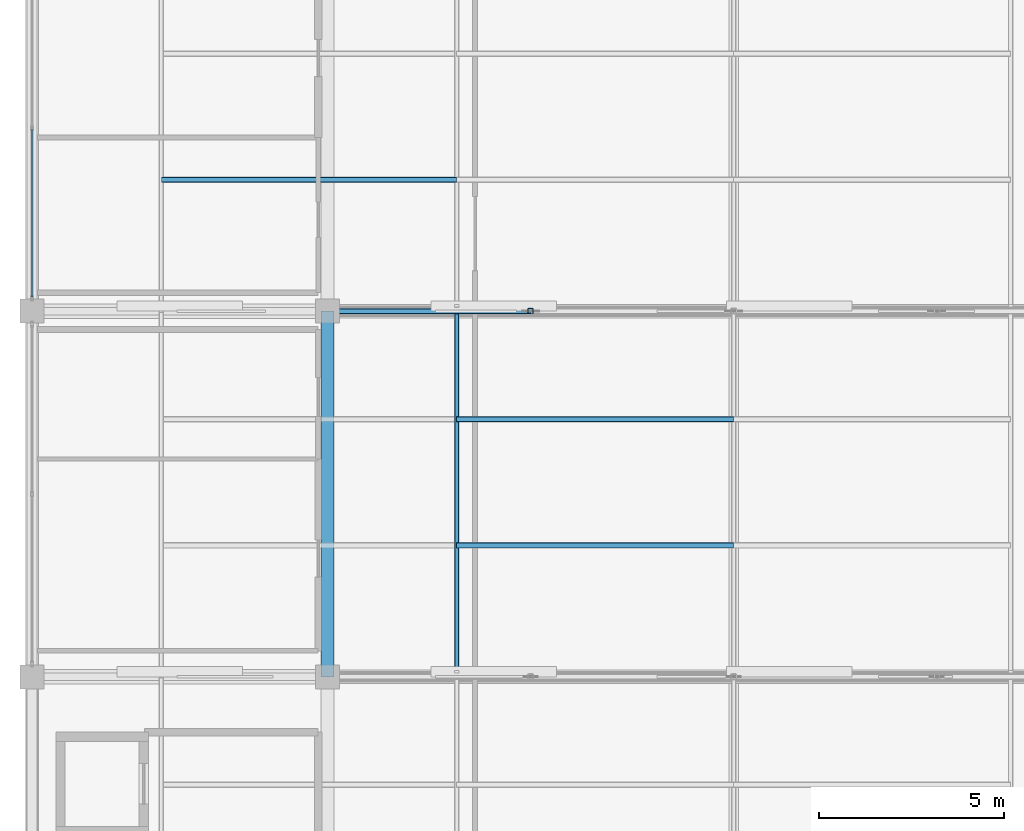
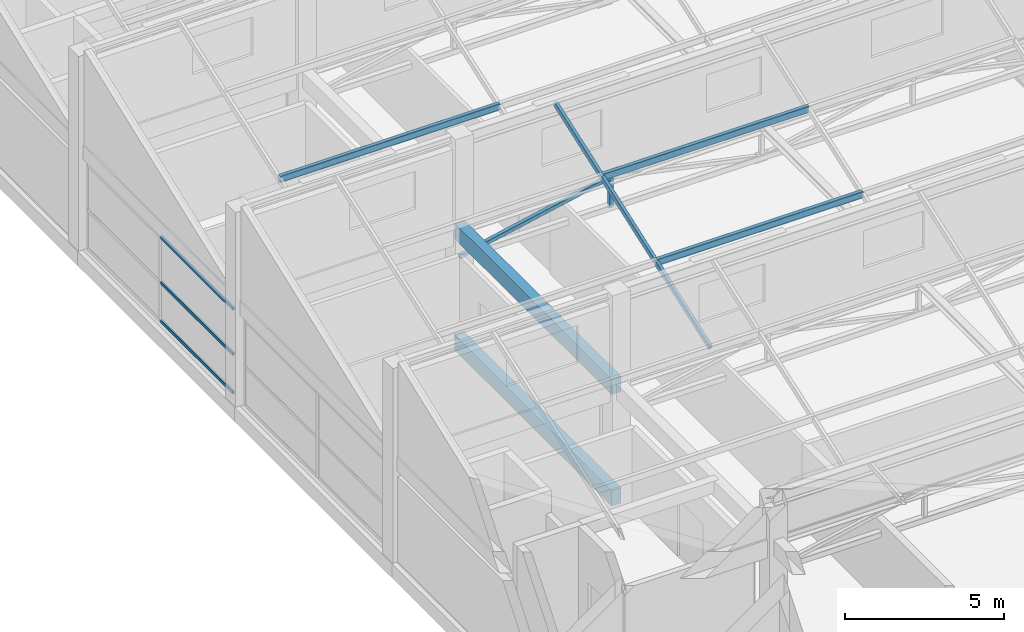
# One storey, part 10 of 35: 9 members, 2 beams, 1 element without a shape of its own.
"""IFC4 building model written with IfcOpenShell, lengths in metres."""

from ifc_helpers import new_model, si_unit, direction, frame, origin, origin_2d, place, context, subcontext, project, spatial, rectangle, hollow_rectangle, extrude, material, layer, layer_set, material_profile, profile_set, type_object, element, aggregate, save


model = new_model("IFC4")

# Units and contexts
model_context = context("Model", 3, precision=1e-05, world=origin(), true_north=direction((0.0, 1.0)))
body_context = subcontext(model_context, "Body", "Model", "MODEL_VIEW")
ifc_project = project(units=[si_unit("LENGTHUNIT", "METRE"), si_unit("AREAUNIT", "SQUARE_METRE"), si_unit("VOLUMEUNIT", "CUBIC_METRE"), si_unit("PLANEANGLEUNIT", "RADIAN"), si_unit("MASSUNIT", "GRAM", prefix="KILO")], contexts=[model_context])

# Site, building, storey
site_placement = place(None, origin())
site = spatial("IfcSite", under=ifc_project, at=site_placement, CompositionType="ELEMENT")
building_placement = place(site_placement, origin())
building = spatial("IfcBuilding", under=site, at=building_placement, Name="Sillaruma Civic Art Gallery", CompositionType="ELEMENT")
storey_placement = place(building_placement, frame((0.0, 0.0, 74.4599609375)))
storey = spatial("IfcBuildingStorey", under=building, at=storey_placement, Name="L15", CompositionType="ELEMENT", Elevation=74.4599609375)

# Beams
ifc_material_1 = material(Name="Concrete H35 (35 MPa)", Category="concrete")
ifc_material_profile_1 = material_profile(ifc_material_1, rectangle(XDim=0.35009765625, YDim=0.60009765625, at=origin_2d()), Name="RCB350x600")
ifc_profile_set_1 = profile_set([ifc_material_profile_1], Name="Concrete H35 (35 MPa)")
beam_type_1 = type_object("IfcBeamType", Name="BM-BEAM-RCB350x600", PredefinedType="BEAM", material=ifc_profile_set_1)
beam_1_placement = place(storey_placement, frame((70.0, 49.5, -0.550048828125), z_axis=(0.0, 1.0, 0.0), x_axis=(-1.0, 0.0, 0.0)))
element("IfcBeam", 1, at=beam_1_placement, inside=storey, type_object=beam_type_1, Name="Beam BM-06 (L14:G:6-7)", PredefinedType="BEAM", context=body_context, shape_type="SweptSolid", body=[
    extrude(rectangle(XDim=0.35009765625, YDim=0.60009765625, at=origin_2d()), origin(), (0.0, 0.0, 1.0), 9.89990234375),
])
ifc_material_profile_2 = material_profile(ifc_material_1, rectangle(XDim=0.35009765625, YDim=0.60009765625, at=origin_2d()), Name="RCB350x600")
ifc_profile_set_2 = profile_set([ifc_material_profile_2], Name="Concrete H35 (35 MPa)")
beam_type_2 = type_object("IfcBeamType", Name="BM-ROF-RCB350x600", PredefinedType="BEAM", material=ifc_profile_set_2)
beam_2_placement = place(storey_placement, frame((70.0, 49.5, 3.739990234375), z_axis=(0.0, 1.0, 0.0), x_axis=(-1.0, 0.0, 0.0)))
element("IfcBeam", 2, at=beam_2_placement, inside=storey, type_object=beam_type_2, Name="Beam BRF-06 (L15:G:6-7)", PredefinedType="BEAM", context=body_context, shape_type="SweptSolid", body=[
    extrude(rectangle(XDim=0.35009765625, YDim=0.60009765625, at=origin_2d()), origin(), (0.0, 0.0, 1.0), 9.89990234375),
])

# Members
ifc_material_2 = material(Name="Structural Steel ASTM A500 Gr.C", Category="steel")
ifc_material_profile_3 = material_profile(ifc_material_2, hollow_rectangle(XDim=0.14990234375, YDim=0.14990234375, WallThickness=0.010009765625, InnerFilletRadius=0.010009765625, OuterFilletRadius=0.02001953125, at=origin_2d()), Name="HSS150x150x10")
ifc_profile_set_3 = profile_set([ifc_material_profile_3], Name="Structural Steel ASTM A500 Gr.C")
member_type_1 = type_object("IfcMemberType", Name="MEM-BRACE-HSS150x150x10", PredefinedType="BRACE", material=ifc_profile_set_3)
member_1_placement = place(storey_placement, frame((70.0, 59.39990234375, 2.699951171875), z_axis=(0.978538722809, 0.0, 0.206063019398), x_axis=(0.0, 1.0, 0.0)))
element("IfcMember", 3, at=member_1_placement, inside=storey, type_object=member_type_1, Name="Warren Truss Diagonal TR-L15-3-D1", PredefinedType="BRACE", context=body_context, shape_type="SweptSolid", body=[
    extrude(hollow_rectangle(XDim=0.14990234375, YDim=0.14990234375, WallThickness=0.010009765625, InnerFilletRadius=0.010009765625, OuterFilletRadius=0.02001953125, at=origin_2d()), origin(), (0.0, 0.0, 1.0), 5.62060546875),
])
ifc_material_profile_4 = material_profile(ifc_material_2, hollow_rectangle(XDim=0.14990234375, YDim=0.14990234375, WallThickness=0.010009765625, InnerFilletRadius=0.010009765625, OuterFilletRadius=0.02001953125, at=origin_2d()), Name="HSS150x150x10")
ifc_profile_set_4 = profile_set([ifc_material_profile_4], Name="Structural Steel ASTM A500 Gr.C")
member_type_2 = type_object("IfcMemberType", Name="MEM-POST-HSS150x150x10", PredefinedType="POST", material=ifc_profile_set_4)
member_2_placement = place(storey_placement, frame((75.5, 59.39990234375, 2.699951171875), z_axis=(0.0, 0.0, 1.0), x_axis=(1.0, 0.0, 0.0)))
element("IfcMember", 4, at=member_2_placement, inside=storey, type_object=member_type_2, Name="Warren Truss Vertical Post TR-L15-3-V1", PredefinedType="POST", context=body_context, shape_type="SweptSolid", body=[
    extrude(hollow_rectangle(XDim=0.14990234375, YDim=0.14990234375, WallThickness=0.010009765625, InnerFilletRadius=0.010009765625, OuterFilletRadius=0.02001953125, at=origin_2d()), origin(), (0.0, 0.0, 1.0), 1.158203125),
])
ifc_material_profile_5 = material_profile(ifc_material_2, hollow_rectangle(XDim=0.14990234375, YDim=0.25, WallThickness=0.010009765625, InnerFilletRadius=0.010009765625, OuterFilletRadius=0.02001953125, at=origin_2d()), Name="HSS250x150x10")
ifc_profile_set_5 = profile_set([ifc_material_profile_5], Name="Structural Steel ASTM A500 Gr.C")
member_type_3 = type_object("IfcMemberType", Name="MEM-PUR-HSS250", PredefinedType="PURLIN", material=ifc_profile_set_5)
for number, where, z_axis, x_axis, name in (
    (5, (73.5, 53.055908203125, 5.111083984375), (1.0, 0.0, 0.0), (0.0, 1.0, 0.0), "Sawtooth Roof Steel Purlin (2.1.2)"),
    (6, (73.5, 56.471923828125, 6.322021484375), (1.0, 0.0, 0.0), (0.0, 1.0, 0.0), "Sawtooth Roof Steel Purlin (2.2.2)"),
):
    element("IfcMember", number, at=place(storey_placement, frame(where, z_axis=z_axis, x_axis=x_axis)), inside=storey, type_object=member_type_3, Name=name, PredefinedType="PURLIN", context=body_context, shape_type="SweptSolid", body=[
        extrude(hollow_rectangle(XDim=0.14990234375, YDim=0.25, WallThickness=0.010009765625, InnerFilletRadius=0.010009765625, OuterFilletRadius=0.02001953125, at=origin_2d()), origin(), (0.0, 0.0, 1.0), 7.5),
    ])
member_3_placement = place(storey_placement, frame((65.5, 62.9560546875, 5.111083984375), z_axis=(1.0, 0.0, 0.0), x_axis=(0.0, 1.0, 0.0)))
element("IfcMember", 7, at=member_3_placement, inside=storey, type_object=member_type_3, Name="Sawtooth Roof Steel Purlin (3.1.1)", PredefinedType="PURLIN", context=body_context, shape_type="SweptSolid", body=[
    extrude(hollow_rectangle(XDim=0.14990234375, YDim=0.25, WallThickness=0.010009765625, InnerFilletRadius=0.010009765625, OuterFilletRadius=0.02001953125, at=origin_2d()), origin(), (0.0, 0.0, 1.0), 8.0),
])
ifc_material_profile_6 = material_profile(ifc_material_2, hollow_rectangle(XDim=0.1201171875, YDim=0.199951171875, WallThickness=0.008056640625, InnerFilletRadius=0.008056640625, OuterFilletRadius=0.01611328125, at=origin_2d()), Name="HSS200x120x8")
ifc_profile_set_6 = profile_set([ifc_material_profile_6], Name="Structural Steel ASTM A500 Gr.C")
member_type_4 = type_object("IfcMemberType", Name="MEM-RAF-HSS200", PredefinedType="PURLIN", material=ifc_profile_set_6)
member_4_placement = place(storey_placement, frame((73.5, 49.639892578125, 3.900146484375), z_axis=(0.0, 0.942527174953, 0.33412950255), x_axis=(-1.0, 0.0, 0.0)))
element("IfcMember", 8, at=member_4_placement, inside=storey, type_object=member_type_4, Name="Sawtooth Sloped Steel Rafter (2-W)", PredefinedType="PURLIN", context=body_context, shape_type="SweptSolid", body=[
    extrude(hollow_rectangle(XDim=0.1201171875, YDim=0.199951171875, WallThickness=0.008056640625, InnerFilletRadius=0.008056640625, OuterFilletRadius=0.01611328125, at=origin_2d()), origin(), (0.0, 0.0, 1.0), 10.355224609375),
])

# Curtain wall, members
ifc_material_3 = material(Name="Thermally Broken Extruded Aluminium 6063-T6", Category="aluminium")
ifc_layer = layer(ifc_material_3, 0.139892578125, Name="Thermally Broken Extruded Aluminium 6063-T6")
ifc_layer_set = layer_set([ifc_layer], Name="Thermally Broken Extruded Aluminium 6063-T6")
curtain_wall_type = type_object("IfcCurtainWallType", Name="CW-UNI-113", PredefinedType="NOTDEFINED", material=ifc_layer_set)
curtain_wall_placement = place(storey_placement, origin())
curtain_wall = element("IfcCurtainWall", 9, at=curtain_wall_placement, inside=storey, type_object=curtain_wall_type, Name="Unitised Curtain Wall CW-113 (CW-L15-WBW-5)", PredefinedType="NOTDEFINED")
ifc_material_profile_7 = material_profile(ifc_material_3, hollow_rectangle(XDim=0.06494140625, YDim=0.1201171875, WallThickness=0.00341796875, at=origin_2d()), Name="CWT65x120")
ifc_profile_set_7 = profile_set([ifc_material_profile_7], Name="Thermally Broken Extruded Aluminium 6063-T6")
member_type_5 = type_object("IfcMemberType", Name="MEM-TRN-CWT65x120", PredefinedType="USERDEFINED", material=ifc_profile_set_7)
member_5_placement = place(storey_placement, frame((62.0, 59.784912109375, 0.032470703125), z_axis=(0.0, 1.0, 0.0), x_axis=(-1.0, 0.0, 0.0)))
member_5 = element("IfcMember", 10, at=member_5_placement, type_object=member_type_5, Name="CW-113 transom 1.1", ObjectType="TRANSOM", PredefinedType="USERDEFINED", context=body_context, shape_type="SweptSolid", body=[
    extrude(hollow_rectangle(XDim=0.06494140625, YDim=0.1201171875, WallThickness=0.00341796875, at=origin_2d()), origin(), (0.0, 0.0, 1.0), 4.53515625),
])
member_6_placement = place(storey_placement, frame((62.0, 59.784912109375, 1.513427734375), z_axis=(0.0, 1.0, 0.0), x_axis=(-1.0, 0.0, 0.0)))
member_6 = element("IfcMember", 11, at=member_6_placement, type_object=member_type_5, Name="CW-113 transom 1.2", ObjectType="TRANSOM", PredefinedType="USERDEFINED", context=body_context, shape_type="SweptSolid", body=[
    extrude(hollow_rectangle(XDim=0.06494140625, YDim=0.1201171875, WallThickness=0.00341796875, at=origin_2d()), origin(), (0.0, 0.0, 1.0), 4.53515625),
])
member_7_placement = place(storey_placement, frame((62.0, 59.784912109375, 3.257568359375), z_axis=(0.0, 1.0, 0.0), x_axis=(-1.0, 0.0, 0.0)))
member_7 = element("IfcMember", 12, at=member_7_placement, type_object=member_type_5, Name="CW-113 transom 1.3", ObjectType="TRANSOM", PredefinedType="USERDEFINED", context=body_context, shape_type="SweptSolid", body=[
    extrude(hollow_rectangle(XDim=0.06494140625, YDim=0.1201171875, WallThickness=0.00341796875, at=origin_2d()), origin(), (0.0, 0.0, 1.0), 4.53515625),
])
aggregate(curtain_wall, [member_5, member_6, member_7])

save(model, "model.ifc")
